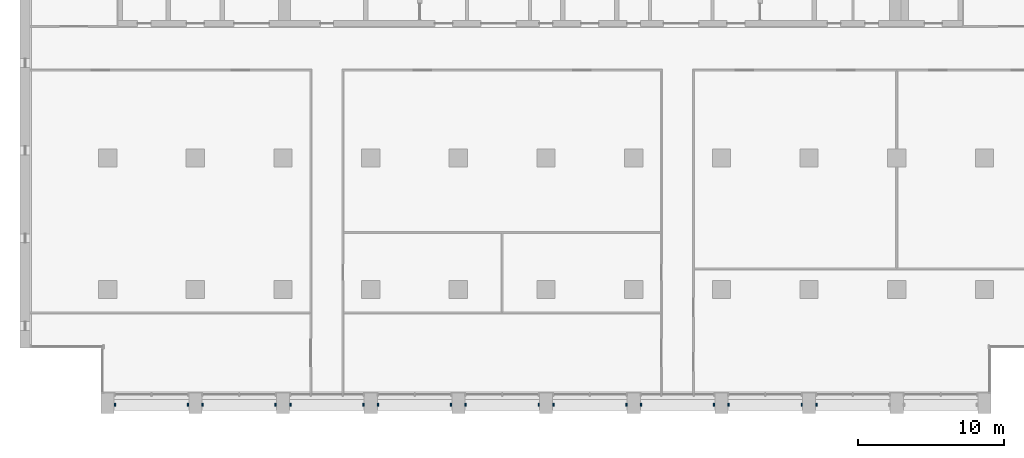
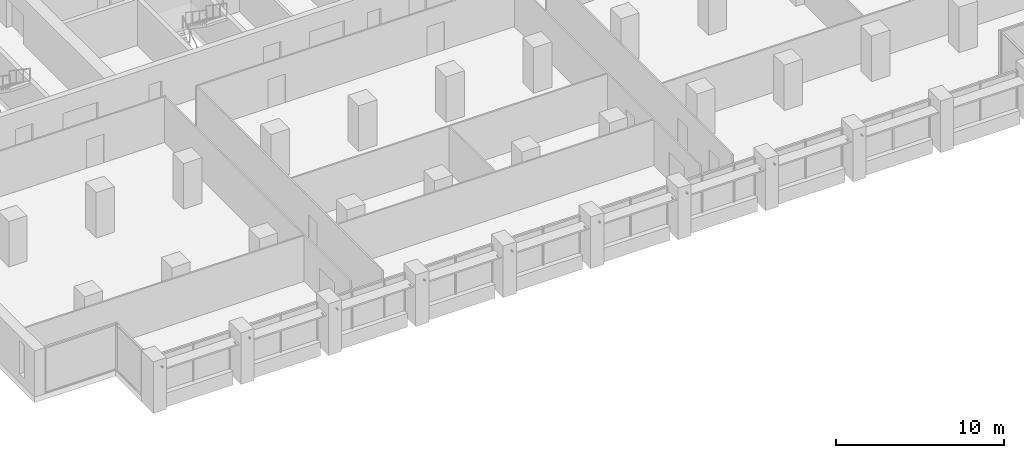
# One storey, part 13 of 15: 17 discrete accessories.
"""IFC4 building model written with IfcOpenShell, lengths in metres."""

import ifcopenshell
import ifcopenshell.guid

model = None  # the IFC model being written
_history = None  # IfcOwnerHistory: only IFC2X3 demands one
_inside = {}  # id of a spatial element -> (the spatial element, [elements in it])
_under = {}  # id of a project, library or spatial element -> (it, [spatial elements below it])
_declared = {}  # id of a project -> (the project, [libraries it declares])
_typed = {}  # id of a type object -> (the type object, [elements of that type])
_made_of = {}  # id of a material, layer set ... -> (it, [elements and type objects made of it])


def new_model(schema):
    """Start an empty IFC model of exactly this schema.

    Asked for "IFC4X3", IfcOpenShell would pick the latest addendum, in which some entities
    have other attributes; the version numbers below select the first issue.
    IFC2X3 requires an IfcOwnerHistory on every rooted entity: one is made here for all.
    """
    global model, _history
    if schema == "IFC4X3":
        model = ifcopenshell.file(schema_version=(4, 3, 0, 0))
    else:
        model = ifcopenshell.file(schema=schema)
    _inside.clear()
    _under.clear()
    _declared.clear()
    _typed.clear()
    _made_of.clear()
    _history = None
    if model.schema == "IFC2X3":
        org = make("IfcOrganization", Name="unknown")
        user = make(
            "IfcPersonAndOrganization",
            ThePerson=make("IfcPerson", FamilyName="unknown"),
            TheOrganization=org,
        )
        app = make(
            "IfcApplication",
            ApplicationDeveloper=org,
            Version="unknown",
            ApplicationFullName="unknown",
            ApplicationIdentifier="unknown",
        )
        _history = make(
            "IfcOwnerHistory",
            OwningUser=user,
            OwningApplication=app,
            ChangeAction="ADDED",
            CreationDate=0,
        )
    return model


def make(cls, **values):
    """One entity of the class cls with the attributes given. An attribute that is None is left unset."""
    return model.create_entity(
        cls, **{name: value for name, value in values.items() if value is not None}
    )


def rooted(cls, **values):
    """An entity with a GlobalId (a new one), such as an element, a storey or a relation."""
    return make(cls, GlobalId=ifcopenshell.guid.new(), OwnerHistory=_history, **values)


def si_unit(unit_type, name, prefix=None):
    """IfcSIUnit, for example si_unit("LENGTHUNIT", "METRE", prefix="MILLI")."""
    return make("IfcSIUnit", UnitType=unit_type, Prefix=prefix, Name=name)


def assignment(units):
    """IfcUnitAssignment: the units of a project."""
    return None if units is None else make("IfcUnitAssignment", Units=units)


def point(xyz):
    """IfcCartesianPoint."""
    return None if xyz is None else make("IfcCartesianPoint", Coordinates=xyz)


def direction(xyz):
    """IfcDirection."""
    return None if xyz is None else make("IfcDirection", DirectionRatios=xyz)


def frame(location, z_axis=None, x_axis=None):
    """IfcAxis2Placement3D, a coordinate frame: its origin and axes. An axis left out is left unset."""
    return make(
        "IfcAxis2Placement3D",
        Location=point(location),
        Axis=direction(z_axis),
        RefDirection=direction(x_axis),
    )


def frame_2d(location, x_axis=None):
    """IfcAxis2Placement2D, a coordinate frame in the plane: its origin and x axis."""
    return make(
        "IfcAxis2Placement2D", Location=point(location), RefDirection=direction(x_axis)
    )


def origin():
    """The frame at (0, 0, 0) with its axes left unset."""
    return frame((0.0, 0.0, 0.0))


def origin_2d():
    """The frame at (0, 0) in the plane with its x axis left unset."""
    return frame_2d((0.0, 0.0))


def place(relative_to, where):
    """IfcLocalPlacement: puts the frame where relative to a parent placement (None: the world)."""
    return make(
        "IfcLocalPlacement", PlacementRelTo=relative_to, RelativePlacement=where
    )


def context(
    kind, dimensions, precision=None, world=None, true_north=None, identifier=None
):
    """IfcGeometricRepresentationContext, for example the 3D "Model" context."""
    return make(
        "IfcGeometricRepresentationContext",
        ContextIdentifier=identifier,
        ContextType=kind,
        CoordinateSpaceDimension=dimensions,
        Precision=precision,
        WorldCoordinateSystem=world,
        TrueNorth=true_north,
    )


def subcontext(parent, identifier, kind, view, scale=None):
    """IfcGeometricRepresentationSubContext, for example "Body" below "Model"."""
    return make(
        "IfcGeometricRepresentationSubContext",
        ContextIdentifier=identifier,
        ContextType=kind,
        ParentContext=parent,
        TargetScale=scale,
        TargetView=view,
    )


def project(units=None, contexts=None):
    """IfcProject with its units and contexts."""
    return rooted(
        "IfcProject",
        Name="project",
        RepresentationContexts=contexts,
        UnitsInContext=assignment(units),
    )


def spatial(cls, under=None, at=None, **own):
    """A site, building, storey or space (cls), placed at a placement, below another one or the project."""
    s = rooted(cls, ObjectPlacement=at, **own)
    if under is not None:
        _under.setdefault(under.id(), (under, []))[1].append(s)
    return s


def profile(cls, at=None, kind="AREA", **sizes):
    """A parametric profile (cls). Its sizes go by their IFC names, for example OverallWidth=200.0."""
    return make(cls, ProfileType=kind, Position=at, **sizes)


def rectangle(**sizes):
    """IfcRectangleProfileDef."""
    return profile("IfcRectangleProfileDef", **sizes)


def extrude(swept, where, along, depth):
    """IfcExtrudedAreaSolid: the profile swept, set in the frame where, extruded along a direction by depth."""
    return make(
        "IfcExtrudedAreaSolid",
        SweptArea=swept,
        Position=where,
        ExtrudedDirection=direction(along),
        Depth=depth,
    )


def shape(context_of_items, identifier, shape_type, items):
    """IfcShapeRepresentation: the items that make up one representation, for example the "Body"."""
    return make(
        "IfcShapeRepresentation",
        ContextOfItems=context_of_items,
        RepresentationIdentifier=identifier,
        RepresentationType=shape_type,
        Items=items,
    )


def made_of(thing, what):
    """Note that an element or type object is made of a material, layer set ...; save() writes the relation."""
    if what is not None:
        _made_of.setdefault(what.id(), (what, []))[1].append(thing)
    return thing


def element(
    cls,
    number,
    at=None,
    inside=None,
    cuts=None,
    type_object=None,
    material=None,
    context=None,
    identifier="Body",
    shape_type=None,
    held_by="IfcProductDefinitionShape",
    body=None,
    shapes=None,
    **own,
):
    """One element of the class cls, such as IfcWall. Its Tag is "e" and its number.

    at: its placement. inside: the storey or other place that contains it. cuts: it is an
    opening in that element (IfcRelVoidsElement). A single representation is given by context,
    identifier, shape_type and body (its items); several are given by shapes. held_by: the class
    of the entity that holds the representations. save() writes the other relations.
    """
    e = rooted(cls, Tag="e%d" % number, ObjectPlacement=at, **own)
    if body is not None:
        shapes = [shape(context, identifier, shape_type, body)]
    if shapes is not None:
        e.Representation = make(held_by, Representations=shapes)
    if inside is not None:
        _inside.setdefault(inside.id(), (inside, []))[1].append(e)
    if cuts is not None:
        rooted(
            "IfcRelVoidsElement", RelatingBuildingElement=cuts, RelatedOpeningElement=e
        )
    if type_object is not None:
        _typed.setdefault(type_object.id(), (type_object, []))[1].append(e)
    return made_of(e, material)


def aggregate(whole, parts):
    """IfcRelAggregates: a whole, such as a stair, and the parts it consists of."""
    return rooted("IfcRelAggregates", RelatingObject=whole, RelatedObjects=parts)


def save(model, path):
    """Write the relations noted so far, then the file.

    IfcRelAggregates (storeys below a building ...), IfcRelContainedInSpatialStructure (elements
    in a storey), IfcRelDefinesByType, IfcRelAssociatesMaterial and IfcRelDeclares: one each for
    every whole, place, type object, material and project.
    """
    for whole, parts in _under.values():
        aggregate(whole, parts)
    for where, things in _inside.values():
        rooted(
            "IfcRelContainedInSpatialStructure",
            RelatedElements=things,
            RelatingStructure=where,
        )
    for kind, things in _typed.values():
        rooted("IfcRelDefinesByType", RelatedObjects=things, RelatingType=kind)
    for what, things in _made_of.values():
        rooted("IfcRelAssociatesMaterial", RelatedObjects=things, RelatingMaterial=what)
    for by, libraries in _declared.values():
        rooted("IfcRelDeclares", RelatingContext=by, RelatedDefinitions=libraries)
    model.write(path)


model = new_model("IFC4")

# Units and contexts
model_context = context("Model", 3, precision=1e-05, world=origin(), true_north=direction((0.0, 1.0)))
body_context = subcontext(model_context, "Body", "Model", "MODEL_VIEW")
ifc_project = project(units=[si_unit("LENGTHUNIT", "METRE"), si_unit("AREAUNIT", "SQUARE_METRE"), si_unit("VOLUMEUNIT", "CUBIC_METRE"), si_unit("PLANEANGLEUNIT", "RADIAN"), si_unit("MASSUNIT", "GRAM", prefix="KILO")], contexts=[model_context])

# Site, building, storey
site_placement = place(None, origin())
site = spatial("IfcSite", under=ifc_project, at=site_placement, CompositionType="ELEMENT")
building_placement = place(site_placement, origin())
building = spatial("IfcBuilding", under=site, at=building_placement, Name="Calvaro Tower", CompositionType="ELEMENT")
storey_placement = place(building_placement, frame((0.0, 0.0, 143.75)))
storey = spatial("IfcBuildingStorey", under=building, at=storey_placement, Name="L36", CompositionType="ELEMENT", Elevation=143.75)

# Discrete accessories
for number, where, z_axis, x_axis, name in (
    (1, (6.5, 2.10009765625, 2.25), (0.0, 0.0, 1.0), (1.0, 0.0, 0.0), "Brise-soleil bracket"),
    (2, (11.5, 2.10009765625, 2.25), (0.0, 0.0, 1.0), (1.0, 0.0, 0.0), "Brise-soleil bracket"),
    (3, (12.5, 2.10009765625, 2.25), (0.0, 0.0, 1.0), (1.0, 0.0, 0.0), "Brise-soleil bracket"),
    (4, (17.5, 2.10009765625, 2.25), (0.0, 0.0, 1.0), (1.0, 0.0, 0.0), "Brise-soleil bracket"),
    (5, (18.5, 2.10009765625, 2.25), (0.0, 0.0, 1.0), (1.0, 0.0, 0.0), "Brise-soleil bracket"),
    (6, (23.5, 2.10009765625, 2.25), (0.0, 0.0, 1.0), (1.0, 0.0, 0.0), "Brise-soleil bracket"),
    (7, (24.5, 2.10009765625, 2.25), (0.0, 0.0, 1.0), (1.0, 0.0, 0.0), "Brise-soleil bracket"),
    (8, (29.5, 2.10009765625, 2.25), (0.0, 0.0, 1.0), (1.0, 0.0, 0.0), "Brise-soleil bracket"),
    (9, (30.5, 2.10009765625, 2.25), (0.0, 0.0, 1.0), (1.0, 0.0, 0.0), "Brise-soleil bracket"),
    (10, (35.5, 2.10009765625, 2.25), (0.0, 0.0, 1.0), (1.0, 0.0, 0.0), "Brise-soleil bracket"),
    (11, (36.5, 2.10009765625, 2.25), (0.0, 0.0, 1.0), (1.0, 0.0, 0.0), "Brise-soleil bracket"),
    (12, (41.5, 2.10009765625, 2.25), (0.0, 0.0, 1.0), (1.0, 0.0, 0.0), "Brise-soleil bracket"),
    (13, (42.5, 2.10009765625, 2.25), (0.0, 0.0, 1.0), (1.0, 0.0, 0.0), "Brise-soleil bracket"),
    (14, (47.5, 2.10009765625, 2.25), (0.0, 0.0, 1.0), (1.0, 0.0, 0.0), "Brise-soleil bracket"),
    (15, (48.5, 2.10009765625, 2.25), (0.0, 0.0, 1.0), (1.0, 0.0, 0.0), "Brise-soleil bracket"),
    (16, (53.5, 2.10009765625, 2.25), (0.0, 0.0, 1.0), (1.0, 0.0, 0.0), "Brise-soleil bracket"),
    (17, (54.5, 2.10009765625, 2.25), (0.0, 0.0, 1.0), (1.0, 0.0, 0.0), "Brise-soleil bracket"),
):
    element("IfcDiscreteAccessory", number, at=place(storey_placement, frame(where, z_axis=z_axis, x_axis=x_axis)), inside=storey, Name=name, PredefinedType="BRACKET", context=body_context, shape_type="SweptSolid", body=[
        extrude(rectangle(XDim=0.10009765625, YDim=0.199951171875, at=origin_2d()), origin(), (0.0, 0.0, 1.0), 0.10009765625),
    ])

save(model, "model.ifc")
